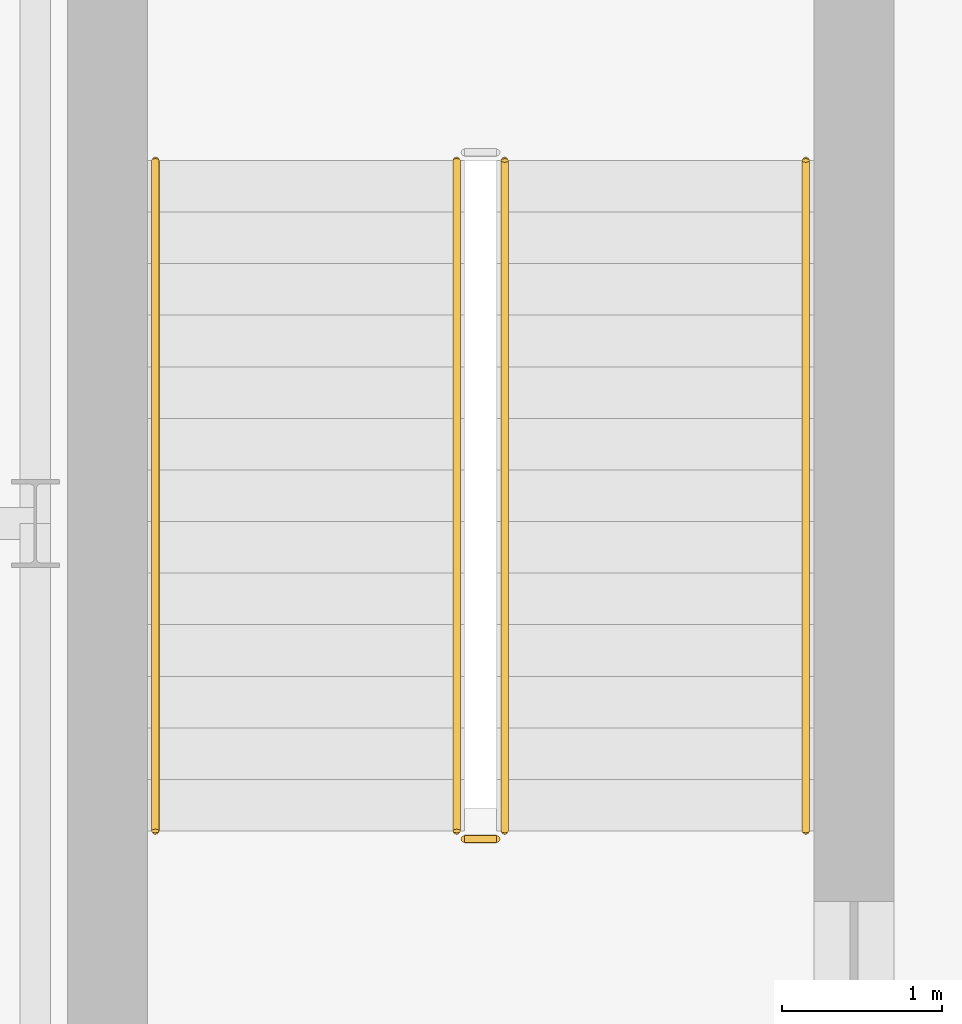
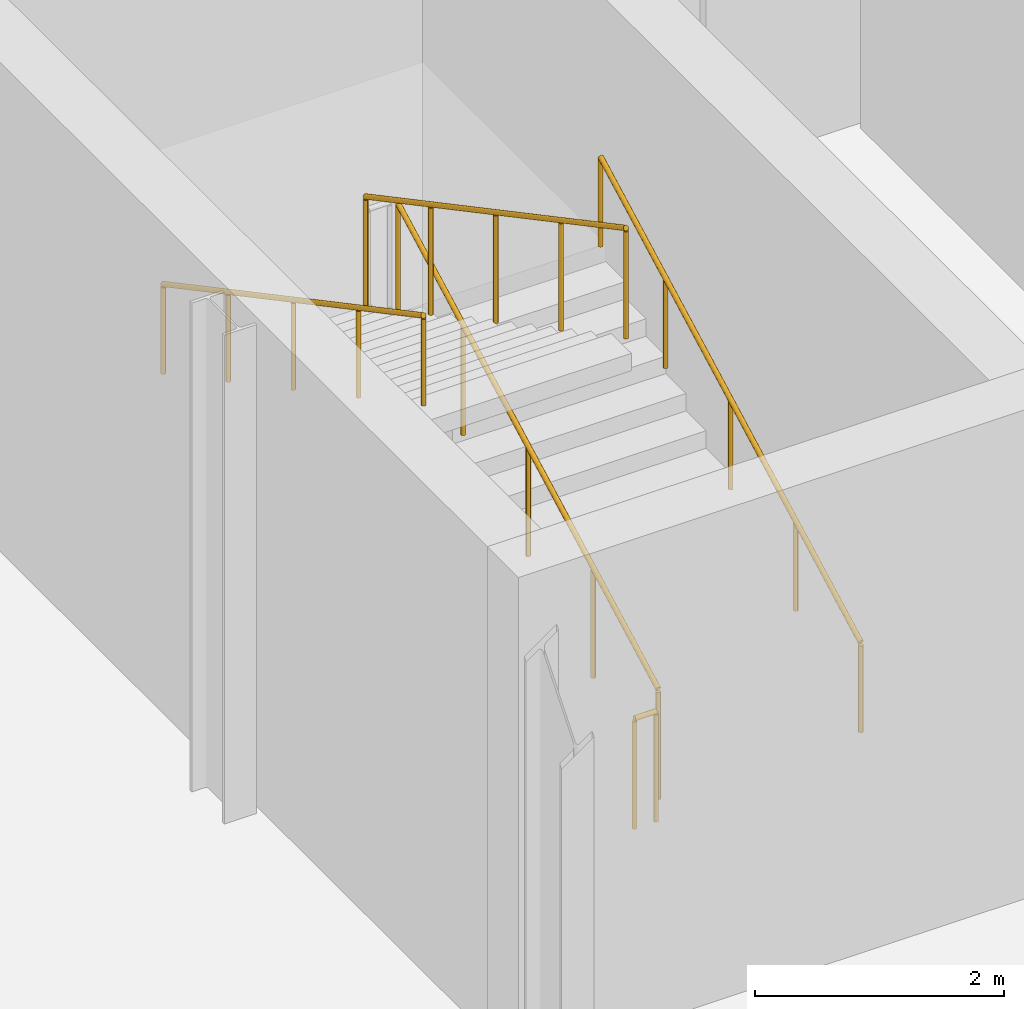
# One storey, part 60 of 63: 5 railings.
"""IFC4 building model written with IfcOpenShell, lengths in metres."""

from ifc_helpers import new_model, si_unit, direction, frame, origin, origin_2d, place, context, subcontext, project, spatial, circle, extrude, material, type_object, element, save


model = new_model("IFC4")

# Units and contexts
model_context = context("Model", 3, precision=1e-05, world=origin(), true_north=direction((0.0, 1.0)))
body_context = subcontext(model_context, "Body", "Model", "MODEL_VIEW")
ifc_project = project(units=[si_unit("LENGTHUNIT", "METRE"), si_unit("AREAUNIT", "SQUARE_METRE"), si_unit("VOLUMEUNIT", "CUBIC_METRE"), si_unit("PLANEANGLEUNIT", "RADIAN"), si_unit("MASSUNIT", "GRAM", prefix="KILO")], contexts=[model_context])

# Site, building, storey
site_placement = place(None, origin())
site = spatial("IfcSite", under=ifc_project, at=site_placement, CompositionType="ELEMENT")
building_placement = place(site_placement, origin())
building = spatial("IfcBuilding", under=site, at=building_placement, Name="Sefraquen Railside Congress Hotel", CompositionType="ELEMENT")
storey_placement = place(building_placement, frame((0.0, 0.0, 11.39990234375)))
storey = spatial("IfcBuildingStorey", under=building, at=storey_placement, Name="L02", CompositionType="ELEMENT", Elevation=11.39990234375)

# Railings
ifc_material = material(Name="Patinated wrought architectural bronze", Category="metal")
railing_type_1 = type_object("IfcRailingType", Name="TRL-BAL-110", PredefinedType="BALUSTRADE", material=ifc_material)
railing_1_placement = place(storey_placement, frame((67.1298828125, 99.47998046875, 0.171630859375)))
element("IfcRailing", 1, at=railing_1_placement, inside=storey, type_object=railing_type_1, Name="L02 ST-H03 stair guard 1", PredefinedType="BALUSTRADE", context=body_context, shape_type="SweptSolid", body=[
    extrude(circle(Radius=0.02392578125, at=origin_2d()), frame((0.0, 0.0, 1.076171875), z_axis=(0.0, 0.882706117232, 0.469925430893), x_axis=(-1.0, 0.0, 0.0)), (0.0, 0.0, 1.0), 4.7421875),
    extrude(circle(Radius=0.02099609375, at=origin_2d()), origin(), (0.0, 0.0, 1.0), 1.052001953125),
    extrude(circle(Radius=0.02099609375, at=origin_2d()), frame((0.0, 1.04638671875, 0.55712890625)), (0.0, 0.0, 1.0), 1.052001953125),
    extrude(circle(Radius=0.02099609375, at=origin_2d()), frame((0.0, 2.093017578125, 1.1142578125)), (0.0, 0.0, 1.0), 1.052001953125),
    extrude(circle(Radius=0.02099609375, at=origin_2d()), frame((0.0, 3.1396484375, 1.67138671875)), (0.0, 0.0, 1.0), 1.052001953125),
    extrude(circle(Radius=0.02099609375, at=origin_2d()), frame((0.0, 4.18603515625, 2.228515625)), (0.0, 0.0, 1.0), 1.052001953125),
])
railing_2_placement = place(storey_placement, frame((66.830078125, 103.666015625, 2.571533203125)))
element("IfcRailing", 2, at=railing_2_placement, inside=storey, type_object=railing_type_1, Name="L02 ST-H03 stair guard 3", PredefinedType="BALUSTRADE", context=body_context, shape_type="SweptSolid", body=[
    extrude(circle(Radius=0.02392578125, at=origin_2d()), frame((0.0, 0.0, 1.076171875), z_axis=(0.0, -0.882706117232, 0.469925430893), x_axis=(1.0, 0.0, 0.0)), (0.0, 0.0, 1.0), 4.7421875),
    extrude(circle(Radius=0.02099609375, at=origin_2d()), origin(), (0.0, 0.0, 1.0), 1.052001953125),
    extrude(circle(Radius=0.02099609375, at=origin_2d()), frame((0.0, -1.04638671875, 0.55712890625)), (0.0, 0.0, 1.0), 1.052001953125),
    extrude(circle(Radius=0.02099609375, at=origin_2d()), frame((0.0, -2.093017578125, 1.1142578125)), (0.0, 0.0, 1.0), 1.052001953125),
    extrude(circle(Radius=0.02099609375, at=origin_2d()), frame((0.0, -3.1396484375, 1.67138671875)), (0.0, 0.0, 1.0), 1.052001953125),
    extrude(circle(Radius=0.02099609375, at=origin_2d()), frame((0.0, -4.18603515625, 2.228515625)), (0.0, 0.0, 1.0), 1.052001953125),
])
railing_3_placement = place(storey_placement, frame((67.080078125, 99.429931640625, 0.0)))
element("IfcRailing", 3, at=railing_3_placement, inside=storey, type_object=railing_type_1, Name="L02 ST-H03 stair guard 4", PredefinedType="BALUSTRADE", context=body_context, shape_type="SweptSolid", body=[
    extrude(circle(Radius=0.02392578125, at=origin_2d()), frame((0.0, 0.0, 1.076171875), z_axis=(-1.0, 0.0, 0.0), x_axis=(0.0, -1.0, 0.0)), (0.0, 0.0, 1.0), 0.2001953125),
    extrude(circle(Radius=0.02099609375, at=origin_2d()), origin(), (0.0, 0.0, 1.0), 1.052001953125),
    extrude(circle(Radius=0.02099609375, at=origin_2d()), frame((-0.2001953125, 0.0, 0.0)), (0.0, 0.0, 1.0), 1.052001953125),
])
railing_type_2 = type_object("IfcRailingType", Name="TRL-HR-090", PredefinedType="HANDRAIL", material=ifc_material)
railing_4_placement = place(storey_placement, frame((69.010009765625, 99.47998046875, 0.171630859375)))
element("IfcRailing", 4, at=railing_4_placement, inside=storey, type_object=railing_type_2, Name="L02 ST-H03 stair handrail 1", PredefinedType="HANDRAIL", context=body_context, shape_type="SweptSolid", body=[
    extrude(circle(Radius=0.02392578125, at=origin_2d()), frame((0.0, 0.0, 0.8759765625), z_axis=(0.0, 0.882706117232, 0.469925430893), x_axis=(-1.0, 0.0, 0.0)), (0.0, 0.0, 1.0), 4.7421875),
    extrude(circle(Radius=0.02099609375, at=origin_2d()), origin(), (0.0, 0.0, 1.0), 0.851806640625),
    extrude(circle(Radius=0.02099609375, at=origin_2d()), frame((0.0, 1.04638671875, 0.55712890625)), (0.0, 0.0, 1.0), 0.851806640625),
    extrude(circle(Radius=0.02099609375, at=origin_2d()), frame((0.0, 2.093017578125, 1.1142578125)), (0.0, 0.0, 1.0), 0.851806640625),
    extrude(circle(Radius=0.02099609375, at=origin_2d()), frame((0.0, 3.1396484375, 1.67138671875)), (0.0, 0.0, 1.0), 0.851806640625),
    extrude(circle(Radius=0.02099609375, at=origin_2d()), frame((0.0, 4.18603515625, 2.228515625)), (0.0, 0.0, 1.0), 0.851806640625),
])
railing_5_placement = place(storey_placement, frame((64.949951171875, 103.666015625, 2.571533203125)))
element("IfcRailing", 5, at=railing_5_placement, inside=storey, type_object=railing_type_2, Name="L02 ST-H03 stair handrail 2", PredefinedType="HANDRAIL", context=body_context, shape_type="SweptSolid", body=[
    extrude(circle(Radius=0.02392578125, at=origin_2d()), frame((0.0, 0.0, 0.8759765625), z_axis=(0.0, -0.882706117232, 0.469925430893), x_axis=(1.0, 0.0, 0.0)), (0.0, 0.0, 1.0), 4.7421875),
    extrude(circle(Radius=0.02099609375, at=origin_2d()), origin(), (0.0, 0.0, 1.0), 0.851806640625),
    extrude(circle(Radius=0.02099609375, at=origin_2d()), frame((0.0, -1.04638671875, 0.55712890625)), (0.0, 0.0, 1.0), 0.851806640625),
    extrude(circle(Radius=0.02099609375, at=origin_2d()), frame((0.0, -2.093017578125, 1.1142578125)), (0.0, 0.0, 1.0), 0.851806640625),
    extrude(circle(Radius=0.02099609375, at=origin_2d()), frame((0.0, -3.1396484375, 1.67138671875)), (0.0, 0.0, 1.0), 0.851806640625),
    extrude(circle(Radius=0.02099609375, at=origin_2d()), frame((0.0, -4.18603515625, 2.228515625)), (0.0, 0.0, 1.0), 0.851806640625),
])

save(model, "model.ifc")
